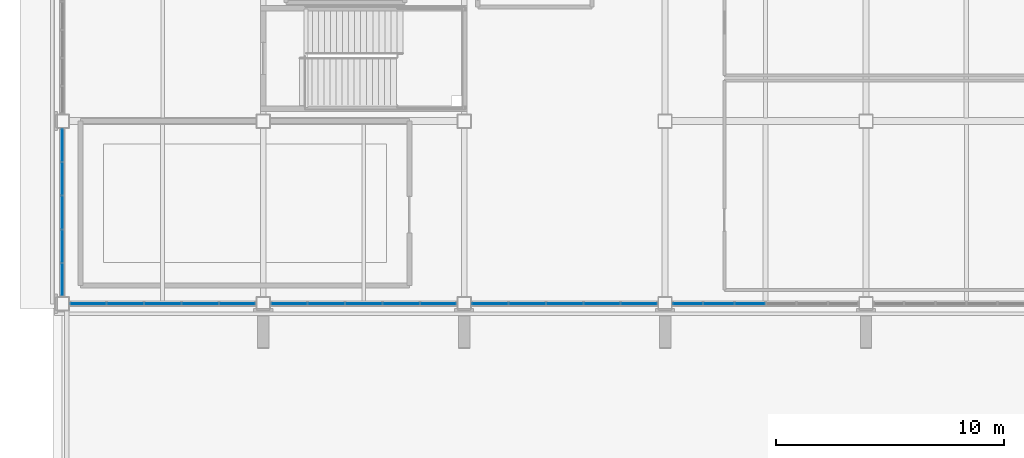
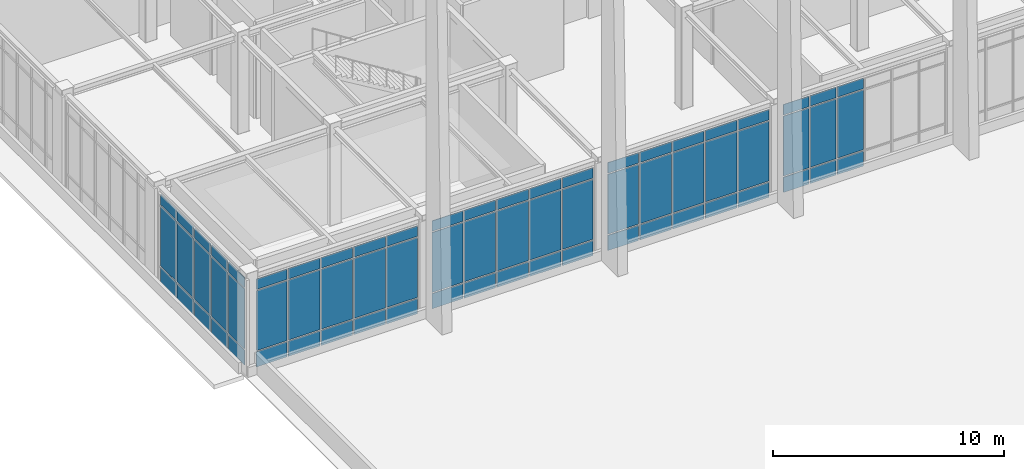
# One storey, part 58 of 108: 69 plates, 5 elements without a shape of their own.
"""IFC4 building model written with IfcOpenShell, lengths in metres."""

from ifc_helpers import new_model, si_unit, direction, frame, origin, origin_2d, place, context, subcontext, project, spatial, rectangle, extrude, material, layer, layer_set, type_object, element, aggregate, save


model = new_model("IFC4")

# Units and contexts
model_context = context("Model", 3, precision=1e-05, world=origin(), true_north=direction((0.0, 1.0)))
body_context = subcontext(model_context, "Body", "Model", "MODEL_VIEW")
ifc_project = project(units=[si_unit("LENGTHUNIT", "METRE"), si_unit("AREAUNIT", "SQUARE_METRE"), si_unit("VOLUMEUNIT", "CUBIC_METRE"), si_unit("PLANEANGLEUNIT", "RADIAN"), si_unit("MASSUNIT", "GRAM", prefix="KILO")], contexts=[model_context])

# Site, building, storey
site_placement = place(None, origin())
site = spatial("IfcSite", under=ifc_project, at=site_placement, CompositionType="ELEMENT")
building_placement = place(site_placement, origin())
building = spatial("IfcBuilding", under=site, at=building_placement, Name="Zhaolan Boulevard Law Courts", CompositionType="ELEMENT")
storey_placement = place(building_placement, frame((0.0, 0.0, 10.800048828125)))
storey = spatial("IfcBuildingStorey", under=building, at=storey_placement, Name="L02", CompositionType="ELEMENT", Elevation=10.800048828125)

# Curtain wall, plates
ifc_material_1 = material(Name="Thermally broken aluminium and low-E glazing", Category="aluminium")
curtain_wall_type_1 = type_object("IfcCurtainWallType", Name="CURTAIN WALL M7", PredefinedType="USERDEFINED", material=ifc_material_1)
curtain_wall_1_placement = place(storey_placement, origin())
curtain_wall_1 = element("IfcCurtainWall", 1, at=curtain_wall_1_placement, inside=storey, type_object=curtain_wall_type_1, Name="Curtain Wall CW-L02-151", ObjectType="CURTAIN WALL", PredefinedType="USERDEFINED")
ifc_material_2 = material(Name="Triple-silver low-E insulated glazing", Category="glass")
ifc_layer = layer(ifc_material_2, 0.028076171875)
ifc_layer_set = layer_set([ifc_layer])
plate_type = type_object("IfcPlateType", Name="CWPANEL LOW E28", PredefinedType="CURTAIN_PANEL", material=ifc_layer_set)
plate_1_placement = place(storey_placement, frame((1.137939453125, 30.0, 0.06494140625), z_axis=(0.0, 0.0, 1.0), x_axis=(1.0, 0.0, 0.0)))
plate_1 = element("IfcPlate", 2, at=plate_1_placement, type_object=plate_type, Name="CW-L02-151 panel 1.1", PredefinedType="CURTAIN_PANEL", context=body_context, shape_type="SweptSolid", body=[
    extrude(rectangle(XDim=1.541748046875, YDim=0.028076171875, at=origin_2d()), origin(), (0.0, 0.0, 1.0), 0.802490234375),
])
plate_2_placement = place(storey_placement, frame((1.137939453125, 30.0, 0.932373046875), z_axis=(0.0, 0.0, 1.0), x_axis=(1.0, 0.0, 0.0)))
plate_2 = element("IfcPlate", 3, at=plate_2_placement, type_object=plate_type, Name="CW-L02-151 panel 1.2", PredefinedType="CURTAIN_PANEL", context=body_context, shape_type="SweptSolid", body=[
    extrude(rectangle(XDim=1.541748046875, YDim=0.028076171875, at=origin_2d()), origin(), (0.0, 0.0, 1.0), 3.16796875),
])
plate_3_placement = place(storey_placement, frame((1.137939453125, 30.0, 4.16552734375), z_axis=(0.0, 0.0, 1.0), x_axis=(1.0, 0.0, 0.0)))
plate_3 = element("IfcPlate", 4, at=plate_3_placement, type_object=plate_type, Name="CW-L02-151 panel 1.3", PredefinedType="CURTAIN_PANEL", context=body_context, shape_type="SweptSolid", body=[
    extrude(rectangle(XDim=1.541748046875, YDim=0.028076171875, at=origin_2d()), origin(), (0.0, 0.0, 1.0), 0.552490234375),
])
plate_4_placement = place(storey_placement, frame((2.7607421875, 30.0, 0.06494140625), z_axis=(0.0, 0.0, 1.0), x_axis=(1.0, 0.0, 0.0)))
plate_4 = element("IfcPlate", 5, at=plate_4_placement, type_object=plate_type, Name="CW-L02-151 panel 2.1", PredefinedType="CURTAIN_PANEL", context=body_context, shape_type="SweptSolid", body=[
    extrude(rectangle(XDim=1.57421875, YDim=0.028076171875, at=origin_2d()), origin(), (0.0, 0.0, 1.0), 0.802490234375),
])
plate_5_placement = place(storey_placement, frame((2.7607421875, 30.0, 0.932373046875), z_axis=(0.0, 0.0, 1.0), x_axis=(1.0, 0.0, 0.0)))
plate_5 = element("IfcPlate", 6, at=plate_5_placement, type_object=plate_type, Name="CW-L02-151 panel 2.2", PredefinedType="CURTAIN_PANEL", context=body_context, shape_type="SweptSolid", body=[
    extrude(rectangle(XDim=1.57421875, YDim=0.028076171875, at=origin_2d()), origin(), (0.0, 0.0, 1.0), 3.16796875),
])
plate_6_placement = place(storey_placement, frame((2.7607421875, 30.0, 4.16552734375), z_axis=(0.0, 0.0, 1.0), x_axis=(1.0, 0.0, 0.0)))
plate_6 = element("IfcPlate", 7, at=plate_6_placement, type_object=plate_type, Name="CW-L02-151 panel 2.3", PredefinedType="CURTAIN_PANEL", context=body_context, shape_type="SweptSolid", body=[
    extrude(rectangle(XDim=1.57421875, YDim=0.028076171875, at=origin_2d()), origin(), (0.0, 0.0, 1.0), 0.552490234375),
])
plate_7_placement = place(storey_placement, frame((4.39990234375, 30.0, 0.06494140625), z_axis=(0.0, 0.0, 1.0), x_axis=(1.0, 0.0, 0.0)))
plate_7 = element("IfcPlate", 8, at=plate_7_placement, type_object=plate_type, Name="CW-L02-151 panel 3.1", PredefinedType="CURTAIN_PANEL", context=body_context, shape_type="SweptSolid", body=[
    extrude(rectangle(XDim=1.57421875, YDim=0.028076171875, at=origin_2d()), origin(), (0.0, 0.0, 1.0), 0.802490234375),
])
plate_8_placement = place(storey_placement, frame((4.39990234375, 30.0, 0.932373046875), z_axis=(0.0, 0.0, 1.0), x_axis=(1.0, 0.0, 0.0)))
plate_8 = element("IfcPlate", 9, at=plate_8_placement, type_object=plate_type, Name="CW-L02-151 panel 3.2", PredefinedType="CURTAIN_PANEL", context=body_context, shape_type="SweptSolid", body=[
    extrude(rectangle(XDim=1.57421875, YDim=0.028076171875, at=origin_2d()), origin(), (0.0, 0.0, 1.0), 3.16796875),
])
plate_9_placement = place(storey_placement, frame((4.39990234375, 30.0, 4.16552734375), z_axis=(0.0, 0.0, 1.0), x_axis=(1.0, 0.0, 0.0)))
plate_9 = element("IfcPlate", 10, at=plate_9_placement, type_object=plate_type, Name="CW-L02-151 panel 3.3", PredefinedType="CURTAIN_PANEL", context=body_context, shape_type="SweptSolid", body=[
    extrude(rectangle(XDim=1.57421875, YDim=0.028076171875, at=origin_2d()), origin(), (0.0, 0.0, 1.0), 0.552490234375),
])
plate_10_placement = place(storey_placement, frame((6.039306640625, 30.0, 0.06494140625), z_axis=(0.0, 0.0, 1.0), x_axis=(1.0, 0.0, 0.0)))
plate_10 = element("IfcPlate", 11, at=plate_10_placement, type_object=plate_type, Name="CW-L02-151 panel 4.1", PredefinedType="CURTAIN_PANEL", context=body_context, shape_type="SweptSolid", body=[
    extrude(rectangle(XDim=1.57421875, YDim=0.028076171875, at=origin_2d()), origin(), (0.0, 0.0, 1.0), 0.802490234375),
])
plate_11_placement = place(storey_placement, frame((6.039306640625, 30.0, 0.932373046875), z_axis=(0.0, 0.0, 1.0), x_axis=(1.0, 0.0, 0.0)))
plate_11 = element("IfcPlate", 12, at=plate_11_placement, type_object=plate_type, Name="CW-L02-151 panel 4.2", PredefinedType="CURTAIN_PANEL", context=body_context, shape_type="SweptSolid", body=[
    extrude(rectangle(XDim=1.57421875, YDim=0.028076171875, at=origin_2d()), origin(), (0.0, 0.0, 1.0), 3.16796875),
])
plate_12_placement = place(storey_placement, frame((6.039306640625, 30.0, 4.16552734375), z_axis=(0.0, 0.0, 1.0), x_axis=(1.0, 0.0, 0.0)))
plate_12 = element("IfcPlate", 13, at=plate_12_placement, type_object=plate_type, Name="CW-L02-151 panel 4.3", PredefinedType="CURTAIN_PANEL", context=body_context, shape_type="SweptSolid", body=[
    extrude(rectangle(XDim=1.57421875, YDim=0.028076171875, at=origin_2d()), origin(), (0.0, 0.0, 1.0), 0.552490234375),
])
plate_13_placement = place(storey_placement, frame((7.662109375, 30.0, 0.06494140625), z_axis=(0.0, 0.0, 1.0), x_axis=(1.0, 0.0, 0.0)))
plate_13 = element("IfcPlate", 14, at=plate_13_placement, type_object=plate_type, Name="CW-L02-151 panel 5.1", PredefinedType="CURTAIN_PANEL", context=body_context, shape_type="SweptSolid", body=[
    extrude(rectangle(XDim=1.541748046875, YDim=0.028076171875, at=origin_2d()), origin(), (0.0, 0.0, 1.0), 0.802490234375),
])
plate_14_placement = place(storey_placement, frame((7.662109375, 30.0, 0.932373046875), z_axis=(0.0, 0.0, 1.0), x_axis=(1.0, 0.0, 0.0)))
plate_14 = element("IfcPlate", 15, at=plate_14_placement, type_object=plate_type, Name="CW-L02-151 panel 5.2", PredefinedType="CURTAIN_PANEL", context=body_context, shape_type="SweptSolid", body=[
    extrude(rectangle(XDim=1.541748046875, YDim=0.028076171875, at=origin_2d()), origin(), (0.0, 0.0, 1.0), 3.16796875),
])
plate_15_placement = place(storey_placement, frame((7.662109375, 30.0, 4.16552734375), z_axis=(0.0, 0.0, 1.0), x_axis=(1.0, 0.0, 0.0)))
plate_15 = element("IfcPlate", 16, at=plate_15_placement, type_object=plate_type, Name="CW-L02-151 panel 5.3", PredefinedType="CURTAIN_PANEL", context=body_context, shape_type="SweptSolid", body=[
    extrude(rectangle(XDim=1.541748046875, YDim=0.028076171875, at=origin_2d()), origin(), (0.0, 0.0, 1.0), 0.552490234375),
])
aggregate(curtain_wall_1, [plate_1, plate_2, plate_3, plate_4, plate_5, plate_6, plate_7, plate_8, plate_9, plate_10, plate_11, plate_12, plate_13, plate_14, plate_15])

ifc_material_3 = material(Name="Thermally broken aluminium and low-E glazing", Category="aluminium")
curtain_wall_type_2 = type_object("IfcCurtainWallType", Name="CURTAIN WALL M8", PredefinedType="USERDEFINED", material=ifc_material_3)
curtain_wall_2_placement = place(storey_placement, origin())
curtain_wall_2 = element("IfcCurtainWall", 17, at=curtain_wall_2_placement, inside=storey, type_object=curtain_wall_type_2, Name="Curtain Wall CW-L02-152", ObjectType="CURTAIN WALL", PredefinedType="USERDEFINED")
plate_16_placement = place(storey_placement, frame((9.937744140625, 30.0, 0.06494140625), z_axis=(0.0, 0.0, 1.0), x_axis=(1.0, 0.0, 0.0)))
plate_16 = element("IfcPlate", 18, at=plate_16_placement, type_object=plate_type, Name="CW-L02-152 panel 1.1", PredefinedType="CURTAIN_PANEL", context=body_context, shape_type="SweptSolid", body=[
    extrude(rectangle(XDim=1.541748046875, YDim=0.028076171875, at=origin_2d()), origin(), (0.0, 0.0, 1.0), 0.802490234375),
])
plate_17_placement = place(storey_placement, frame((9.937744140625, 30.0, 0.932373046875), z_axis=(0.0, 0.0, 1.0), x_axis=(1.0, 0.0, 0.0)))
plate_17 = element("IfcPlate", 19, at=plate_17_placement, type_object=plate_type, Name="CW-L02-152 panel 1.2", PredefinedType="CURTAIN_PANEL", context=body_context, shape_type="SweptSolid", body=[
    extrude(rectangle(XDim=1.541748046875, YDim=0.028076171875, at=origin_2d()), origin(), (0.0, 0.0, 1.0), 3.16796875),
])
plate_18_placement = place(storey_placement, frame((9.937744140625, 30.0, 4.16552734375), z_axis=(0.0, 0.0, 1.0), x_axis=(1.0, 0.0, 0.0)))
plate_18 = element("IfcPlate", 20, at=plate_18_placement, type_object=plate_type, Name="CW-L02-152 panel 1.3", PredefinedType="CURTAIN_PANEL", context=body_context, shape_type="SweptSolid", body=[
    extrude(rectangle(XDim=1.541748046875, YDim=0.028076171875, at=origin_2d()), origin(), (0.0, 0.0, 1.0), 0.552490234375),
])
plate_19_placement = place(storey_placement, frame((11.560791015625, 30.0, 0.06494140625), z_axis=(0.0, 0.0, 1.0), x_axis=(1.0, 0.0, 0.0)))
plate_19 = element("IfcPlate", 21, at=plate_19_placement, type_object=plate_type, Name="CW-L02-152 panel 2.1", PredefinedType="CURTAIN_PANEL", context=body_context, shape_type="SweptSolid", body=[
    extrude(rectangle(XDim=1.57421875, YDim=0.028076171875, at=origin_2d()), origin(), (0.0, 0.0, 1.0), 0.802490234375),
])
plate_20_placement = place(storey_placement, frame((11.560791015625, 30.0, 0.932373046875), z_axis=(0.0, 0.0, 1.0), x_axis=(1.0, 0.0, 0.0)))
plate_20 = element("IfcPlate", 22, at=plate_20_placement, type_object=plate_type, Name="CW-L02-152 panel 2.2", PredefinedType="CURTAIN_PANEL", context=body_context, shape_type="SweptSolid", body=[
    extrude(rectangle(XDim=1.57421875, YDim=0.028076171875, at=origin_2d()), origin(), (0.0, 0.0, 1.0), 3.16796875),
])
plate_21_placement = place(storey_placement, frame((11.560791015625, 30.0, 4.16552734375), z_axis=(0.0, 0.0, 1.0), x_axis=(1.0, 0.0, 0.0)))
plate_21 = element("IfcPlate", 23, at=plate_21_placement, type_object=plate_type, Name="CW-L02-152 panel 2.3", PredefinedType="CURTAIN_PANEL", context=body_context, shape_type="SweptSolid", body=[
    extrude(rectangle(XDim=1.57421875, YDim=0.028076171875, at=origin_2d()), origin(), (0.0, 0.0, 1.0), 0.552490234375),
])
plate_22_placement = place(storey_placement, frame((13.199951171875, 30.0, 0.06494140625), z_axis=(0.0, 0.0, 1.0), x_axis=(1.0, 0.0, 0.0)))
plate_22 = element("IfcPlate", 24, at=plate_22_placement, type_object=plate_type, Name="CW-L02-152 panel 3.1", PredefinedType="CURTAIN_PANEL", context=body_context, shape_type="SweptSolid", body=[
    extrude(rectangle(XDim=1.57421875, YDim=0.028076171875, at=origin_2d()), origin(), (0.0, 0.0, 1.0), 0.802490234375),
])
plate_23_placement = place(storey_placement, frame((13.199951171875, 30.0, 0.932373046875), z_axis=(0.0, 0.0, 1.0), x_axis=(1.0, 0.0, 0.0)))
plate_23 = element("IfcPlate", 25, at=plate_23_placement, type_object=plate_type, Name="CW-L02-152 panel 3.2", PredefinedType="CURTAIN_PANEL", context=body_context, shape_type="SweptSolid", body=[
    extrude(rectangle(XDim=1.57421875, YDim=0.028076171875, at=origin_2d()), origin(), (0.0, 0.0, 1.0), 3.16796875),
])
plate_24_placement = place(storey_placement, frame((13.199951171875, 30.0, 4.16552734375), z_axis=(0.0, 0.0, 1.0), x_axis=(1.0, 0.0, 0.0)))
plate_24 = element("IfcPlate", 26, at=plate_24_placement, type_object=plate_type, Name="CW-L02-152 panel 3.3", PredefinedType="CURTAIN_PANEL", context=body_context, shape_type="SweptSolid", body=[
    extrude(rectangle(XDim=1.57421875, YDim=0.028076171875, at=origin_2d()), origin(), (0.0, 0.0, 1.0), 0.552490234375),
])
plate_25_placement = place(storey_placement, frame((14.839111328125, 30.0, 0.06494140625), z_axis=(0.0, 0.0, 1.0), x_axis=(1.0, 0.0, 0.0)))
plate_25 = element("IfcPlate", 27, at=plate_25_placement, type_object=plate_type, Name="CW-L02-152 panel 4.1", PredefinedType="CURTAIN_PANEL", context=body_context, shape_type="SweptSolid", body=[
    extrude(rectangle(XDim=1.57421875, YDim=0.028076171875, at=origin_2d()), origin(), (0.0, 0.0, 1.0), 0.802490234375),
])
plate_26_placement = place(storey_placement, frame((14.839111328125, 30.0, 0.932373046875), z_axis=(0.0, 0.0, 1.0), x_axis=(1.0, 0.0, 0.0)))
plate_26 = element("IfcPlate", 28, at=plate_26_placement, type_object=plate_type, Name="CW-L02-152 panel 4.2", PredefinedType="CURTAIN_PANEL", context=body_context, shape_type="SweptSolid", body=[
    extrude(rectangle(XDim=1.57421875, YDim=0.028076171875, at=origin_2d()), origin(), (0.0, 0.0, 1.0), 3.16796875),
])
plate_27_placement = place(storey_placement, frame((14.839111328125, 30.0, 4.16552734375), z_axis=(0.0, 0.0, 1.0), x_axis=(1.0, 0.0, 0.0)))
plate_27 = element("IfcPlate", 29, at=plate_27_placement, type_object=plate_type, Name="CW-L02-152 panel 4.3", PredefinedType="CURTAIN_PANEL", context=body_context, shape_type="SweptSolid", body=[
    extrude(rectangle(XDim=1.57421875, YDim=0.028076171875, at=origin_2d()), origin(), (0.0, 0.0, 1.0), 0.552490234375),
])
plate_28_placement = place(storey_placement, frame((16.462158203125, 30.0, 0.06494140625), z_axis=(0.0, 0.0, 1.0), x_axis=(1.0, 0.0, 0.0)))
plate_28 = element("IfcPlate", 30, at=plate_28_placement, type_object=plate_type, Name="CW-L02-152 panel 5.1", PredefinedType="CURTAIN_PANEL", context=body_context, shape_type="SweptSolid", body=[
    extrude(rectangle(XDim=1.541748046875, YDim=0.028076171875, at=origin_2d()), origin(), (0.0, 0.0, 1.0), 0.802490234375),
])
plate_29_placement = place(storey_placement, frame((16.462158203125, 30.0, 0.932373046875), z_axis=(0.0, 0.0, 1.0), x_axis=(1.0, 0.0, 0.0)))
plate_29 = element("IfcPlate", 31, at=plate_29_placement, type_object=plate_type, Name="CW-L02-152 panel 5.2", PredefinedType="CURTAIN_PANEL", context=body_context, shape_type="SweptSolid", body=[
    extrude(rectangle(XDim=1.541748046875, YDim=0.028076171875, at=origin_2d()), origin(), (0.0, 0.0, 1.0), 3.16796875),
])
plate_30_placement = place(storey_placement, frame((16.462158203125, 30.0, 4.16552734375), z_axis=(0.0, 0.0, 1.0), x_axis=(1.0, 0.0, 0.0)))
plate_30 = element("IfcPlate", 32, at=plate_30_placement, type_object=plate_type, Name="CW-L02-152 panel 5.3", PredefinedType="CURTAIN_PANEL", context=body_context, shape_type="SweptSolid", body=[
    extrude(rectangle(XDim=1.541748046875, YDim=0.028076171875, at=origin_2d()), origin(), (0.0, 0.0, 1.0), 0.552490234375),
])
aggregate(curtain_wall_2, [plate_16, plate_17, plate_18, plate_19, plate_20, plate_21, plate_22, plate_23, plate_24, plate_25, plate_26, plate_27, plate_28, plate_29, plate_30])

ifc_material_4 = material(Name="Thermally broken aluminium and low-E glazing", Category="aluminium")
curtain_wall_type_3 = type_object("IfcCurtainWallType", Name="CURTAIN WALL M9", PredefinedType="USERDEFINED", material=ifc_material_4)
curtain_wall_3_placement = place(storey_placement, origin())
curtain_wall_3 = element("IfcCurtainWall", 33, at=curtain_wall_3_placement, inside=storey, type_object=curtain_wall_type_3, Name="Curtain Wall CW-L02-153", ObjectType="CURTAIN WALL", PredefinedType="USERDEFINED")
plate_31_placement = place(storey_placement, frame((18.73779296875, 30.0, 0.06494140625), z_axis=(0.0, 0.0, 1.0), x_axis=(1.0, 0.0, 0.0)))
plate_31 = element("IfcPlate", 34, at=plate_31_placement, type_object=plate_type, Name="CW-L02-153 panel 1.1", PredefinedType="CURTAIN_PANEL", context=body_context, shape_type="SweptSolid", body=[
    extrude(rectangle(XDim=1.541748046875, YDim=0.028076171875, at=origin_2d()), origin(), (0.0, 0.0, 1.0), 0.802490234375),
])
plate_32_placement = place(storey_placement, frame((18.73779296875, 30.0, 0.932373046875), z_axis=(0.0, 0.0, 1.0), x_axis=(1.0, 0.0, 0.0)))
plate_32 = element("IfcPlate", 35, at=plate_32_placement, type_object=plate_type, Name="CW-L02-153 panel 1.2", PredefinedType="CURTAIN_PANEL", context=body_context, shape_type="SweptSolid", body=[
    extrude(rectangle(XDim=1.541748046875, YDim=0.028076171875, at=origin_2d()), origin(), (0.0, 0.0, 1.0), 3.16796875),
])
plate_33_placement = place(storey_placement, frame((18.73779296875, 30.0, 4.16552734375), z_axis=(0.0, 0.0, 1.0), x_axis=(1.0, 0.0, 0.0)))
plate_33 = element("IfcPlate", 36, at=plate_33_placement, type_object=plate_type, Name="CW-L02-153 panel 1.3", PredefinedType="CURTAIN_PANEL", context=body_context, shape_type="SweptSolid", body=[
    extrude(rectangle(XDim=1.541748046875, YDim=0.028076171875, at=origin_2d()), origin(), (0.0, 0.0, 1.0), 0.552490234375),
])
plate_34_placement = place(storey_placement, frame((20.36083984375, 30.0, 0.06494140625), z_axis=(0.0, 0.0, 1.0), x_axis=(1.0, 0.0, 0.0)))
plate_34 = element("IfcPlate", 37, at=plate_34_placement, type_object=plate_type, Name="CW-L02-153 panel 2.1", PredefinedType="CURTAIN_PANEL", context=body_context, shape_type="SweptSolid", body=[
    extrude(rectangle(XDim=1.57421875, YDim=0.028076171875, at=origin_2d()), origin(), (0.0, 0.0, 1.0), 0.802490234375),
])
plate_35_placement = place(storey_placement, frame((20.36083984375, 30.0, 0.932373046875), z_axis=(0.0, 0.0, 1.0), x_axis=(1.0, 0.0, 0.0)))
plate_35 = element("IfcPlate", 38, at=plate_35_placement, type_object=plate_type, Name="CW-L02-153 panel 2.2", PredefinedType="CURTAIN_PANEL", context=body_context, shape_type="SweptSolid", body=[
    extrude(rectangle(XDim=1.57421875, YDim=0.028076171875, at=origin_2d()), origin(), (0.0, 0.0, 1.0), 3.16796875),
])
plate_36_placement = place(storey_placement, frame((20.36083984375, 30.0, 4.16552734375), z_axis=(0.0, 0.0, 1.0), x_axis=(1.0, 0.0, 0.0)))
plate_36 = element("IfcPlate", 39, at=plate_36_placement, type_object=plate_type, Name="CW-L02-153 panel 2.3", PredefinedType="CURTAIN_PANEL", context=body_context, shape_type="SweptSolid", body=[
    extrude(rectangle(XDim=1.57421875, YDim=0.028076171875, at=origin_2d()), origin(), (0.0, 0.0, 1.0), 0.552490234375),
])
plate_37_placement = place(storey_placement, frame((22.0, 30.0, 0.06494140625), z_axis=(0.0, 0.0, 1.0), x_axis=(1.0, 0.0, 0.0)))
plate_37 = element("IfcPlate", 40, at=plate_37_placement, type_object=plate_type, Name="CW-L02-153 panel 3.1", PredefinedType="CURTAIN_PANEL", context=body_context, shape_type="SweptSolid", body=[
    extrude(rectangle(XDim=1.57421875, YDim=0.028076171875, at=origin_2d()), origin(), (0.0, 0.0, 1.0), 0.802490234375),
])
plate_38_placement = place(storey_placement, frame((22.0, 30.0, 0.932373046875), z_axis=(0.0, 0.0, 1.0), x_axis=(1.0, 0.0, 0.0)))
plate_38 = element("IfcPlate", 41, at=plate_38_placement, type_object=plate_type, Name="CW-L02-153 panel 3.2", PredefinedType="CURTAIN_PANEL", context=body_context, shape_type="SweptSolid", body=[
    extrude(rectangle(XDim=1.57421875, YDim=0.028076171875, at=origin_2d()), origin(), (0.0, 0.0, 1.0), 3.16796875),
])
plate_39_placement = place(storey_placement, frame((22.0, 30.0, 4.16552734375), z_axis=(0.0, 0.0, 1.0), x_axis=(1.0, 0.0, 0.0)))
plate_39 = element("IfcPlate", 42, at=plate_39_placement, type_object=plate_type, Name="CW-L02-153 panel 3.3", PredefinedType="CURTAIN_PANEL", context=body_context, shape_type="SweptSolid", body=[
    extrude(rectangle(XDim=1.57421875, YDim=0.028076171875, at=origin_2d()), origin(), (0.0, 0.0, 1.0), 0.552490234375),
])
plate_40_placement = place(storey_placement, frame((23.63916015625, 30.0, 0.06494140625), z_axis=(0.0, 0.0, 1.0), x_axis=(1.0, 0.0, 0.0)))
plate_40 = element("IfcPlate", 43, at=plate_40_placement, type_object=plate_type, Name="CW-L02-153 panel 4.1", PredefinedType="CURTAIN_PANEL", context=body_context, shape_type="SweptSolid", body=[
    extrude(rectangle(XDim=1.57421875, YDim=0.028076171875, at=origin_2d()), origin(), (0.0, 0.0, 1.0), 0.802490234375),
])
plate_41_placement = place(storey_placement, frame((23.63916015625, 30.0, 0.932373046875), z_axis=(0.0, 0.0, 1.0), x_axis=(1.0, 0.0, 0.0)))
plate_41 = element("IfcPlate", 44, at=plate_41_placement, type_object=plate_type, Name="CW-L02-153 panel 4.2", PredefinedType="CURTAIN_PANEL", context=body_context, shape_type="SweptSolid", body=[
    extrude(rectangle(XDim=1.57421875, YDim=0.028076171875, at=origin_2d()), origin(), (0.0, 0.0, 1.0), 3.16796875),
])
plate_42_placement = place(storey_placement, frame((23.63916015625, 30.0, 4.16552734375), z_axis=(0.0, 0.0, 1.0), x_axis=(1.0, 0.0, 0.0)))
plate_42 = element("IfcPlate", 45, at=plate_42_placement, type_object=plate_type, Name="CW-L02-153 panel 4.3", PredefinedType="CURTAIN_PANEL", context=body_context, shape_type="SweptSolid", body=[
    extrude(rectangle(XDim=1.57421875, YDim=0.028076171875, at=origin_2d()), origin(), (0.0, 0.0, 1.0), 0.552490234375),
])
plate_43_placement = place(storey_placement, frame((25.26220703125, 30.0, 0.06494140625), z_axis=(0.0, 0.0, 1.0), x_axis=(1.0, 0.0, 0.0)))
plate_43 = element("IfcPlate", 46, at=plate_43_placement, type_object=plate_type, Name="CW-L02-153 panel 5.1", PredefinedType="CURTAIN_PANEL", context=body_context, shape_type="SweptSolid", body=[
    extrude(rectangle(XDim=1.541748046875, YDim=0.028076171875, at=origin_2d()), origin(), (0.0, 0.0, 1.0), 0.802490234375),
])
plate_44_placement = place(storey_placement, frame((25.26220703125, 30.0, 0.932373046875), z_axis=(0.0, 0.0, 1.0), x_axis=(1.0, 0.0, 0.0)))
plate_44 = element("IfcPlate", 47, at=plate_44_placement, type_object=plate_type, Name="CW-L02-153 panel 5.2", PredefinedType="CURTAIN_PANEL", context=body_context, shape_type="SweptSolid", body=[
    extrude(rectangle(XDim=1.541748046875, YDim=0.028076171875, at=origin_2d()), origin(), (0.0, 0.0, 1.0), 3.16796875),
])
plate_45_placement = place(storey_placement, frame((25.26220703125, 30.0, 4.16552734375), z_axis=(0.0, 0.0, 1.0), x_axis=(1.0, 0.0, 0.0)))
plate_45 = element("IfcPlate", 48, at=plate_45_placement, type_object=plate_type, Name="CW-L02-153 panel 5.3", PredefinedType="CURTAIN_PANEL", context=body_context, shape_type="SweptSolid", body=[
    extrude(rectangle(XDim=1.541748046875, YDim=0.028076171875, at=origin_2d()), origin(), (0.0, 0.0, 1.0), 0.552490234375),
])
aggregate(curtain_wall_3, [plate_31, plate_32, plate_33, plate_34, plate_35, plate_36, plate_37, plate_38, plate_39, plate_40, plate_41, plate_42, plate_43, plate_44, plate_45])

ifc_material_5 = material(Name="Thermally broken aluminium and low-E glazing", Category="aluminium")
curtain_wall_type_4 = type_object("IfcCurtainWallType", Name="CURTAIN WALL M10", PredefinedType="USERDEFINED", material=ifc_material_5)
curtain_wall_4_placement = place(storey_placement, origin())
curtain_wall_4 = element("IfcCurtainWall", 49, at=curtain_wall_4_placement, inside=storey, type_object=curtain_wall_type_4, Name="Curtain Wall CW-L02-154", ObjectType="CURTAIN WALL", PredefinedType="USERDEFINED")
plate_46_placement = place(storey_placement, frame((27.4013671875, 30.0, 0.06494140625), z_axis=(0.0, 0.0, 1.0), x_axis=(1.0, 0.0, 0.0)))
plate_46 = element("IfcPlate", 50, at=plate_46_placement, type_object=plate_type, Name="CW-L02-154 panel 1.1", PredefinedType="CURTAIN_PANEL", context=body_context, shape_type="SweptSolid", body=[
    extrude(rectangle(XDim=1.2685546875, YDim=0.028076171875, at=origin_2d()), origin(), (0.0, 0.0, 1.0), 0.802490234375),
])
plate_47_placement = place(storey_placement, frame((27.4013671875, 30.0, 0.932373046875), z_axis=(0.0, 0.0, 1.0), x_axis=(1.0, 0.0, 0.0)))
plate_47 = element("IfcPlate", 51, at=plate_47_placement, type_object=plate_type, Name="CW-L02-154 panel 1.2", PredefinedType="CURTAIN_PANEL", context=body_context, shape_type="SweptSolid", body=[
    extrude(rectangle(XDim=1.2685546875, YDim=0.028076171875, at=origin_2d()), origin(), (0.0, 0.0, 1.0), 3.16796875),
])
plate_48_placement = place(storey_placement, frame((27.4013671875, 30.0, 4.16552734375), z_axis=(0.0, 0.0, 1.0), x_axis=(1.0, 0.0, 0.0)))
plate_48 = element("IfcPlate", 52, at=plate_48_placement, type_object=plate_type, Name="CW-L02-154 panel 1.3", PredefinedType="CURTAIN_PANEL", context=body_context, shape_type="SweptSolid", body=[
    extrude(rectangle(XDim=1.2685546875, YDim=0.028076171875, at=origin_2d()), origin(), (0.0, 0.0, 1.0), 0.552490234375),
])
plate_49_placement = place(storey_placement, frame((28.7509765625, 30.0, 0.06494140625), z_axis=(0.0, 0.0, 1.0), x_axis=(1.0, 0.0, 0.0)))
plate_49 = element("IfcPlate", 53, at=plate_49_placement, type_object=plate_type, Name="CW-L02-154 panel 2.1", PredefinedType="CURTAIN_PANEL", context=body_context, shape_type="SweptSolid", body=[
    extrude(rectangle(XDim=1.301025390625, YDim=0.028076171875, at=origin_2d()), origin(), (0.0, 0.0, 1.0), 0.802490234375),
])
plate_50_placement = place(storey_placement, frame((28.7509765625, 30.0, 0.932373046875), z_axis=(0.0, 0.0, 1.0), x_axis=(1.0, 0.0, 0.0)))
plate_50 = element("IfcPlate", 54, at=plate_50_placement, type_object=plate_type, Name="CW-L02-154 panel 2.2", PredefinedType="CURTAIN_PANEL", context=body_context, shape_type="SweptSolid", body=[
    extrude(rectangle(XDim=1.301025390625, YDim=0.028076171875, at=origin_2d()), origin(), (0.0, 0.0, 1.0), 3.16796875),
])
plate_51_placement = place(storey_placement, frame((28.7509765625, 30.0, 4.16552734375), z_axis=(0.0, 0.0, 1.0), x_axis=(1.0, 0.0, 0.0)))
plate_51 = element("IfcPlate", 55, at=plate_51_placement, type_object=plate_type, Name="CW-L02-154 panel 2.3", PredefinedType="CURTAIN_PANEL", context=body_context, shape_type="SweptSolid", body=[
    extrude(rectangle(XDim=1.301025390625, YDim=0.028076171875, at=origin_2d()), origin(), (0.0, 0.0, 1.0), 0.552490234375),
])
plate_52_placement = place(storey_placement, frame((30.116943359375, 30.0, 0.06494140625), z_axis=(0.0, 0.0, 1.0), x_axis=(1.0, 0.0, 0.0)))
plate_52 = element("IfcPlate", 56, at=plate_52_placement, type_object=plate_type, Name="CW-L02-154 panel 3.1", PredefinedType="CURTAIN_PANEL", context=body_context, shape_type="SweptSolid", body=[
    extrude(rectangle(XDim=1.301025390625, YDim=0.028076171875, at=origin_2d()), origin(), (0.0, 0.0, 1.0), 0.802490234375),
])
plate_53_placement = place(storey_placement, frame((30.116943359375, 30.0, 0.932373046875), z_axis=(0.0, 0.0, 1.0), x_axis=(1.0, 0.0, 0.0)))
plate_53 = element("IfcPlate", 57, at=plate_53_placement, type_object=plate_type, Name="CW-L02-154 panel 3.2", PredefinedType="CURTAIN_PANEL", context=body_context, shape_type="SweptSolid", body=[
    extrude(rectangle(XDim=1.301025390625, YDim=0.028076171875, at=origin_2d()), origin(), (0.0, 0.0, 1.0), 3.16796875),
])
plate_54_placement = place(storey_placement, frame((30.116943359375, 30.0, 4.16552734375), z_axis=(0.0, 0.0, 1.0), x_axis=(1.0, 0.0, 0.0)))
plate_54 = element("IfcPlate", 58, at=plate_54_placement, type_object=plate_type, Name="CW-L02-154 panel 3.3", PredefinedType="CURTAIN_PANEL", context=body_context, shape_type="SweptSolid", body=[
    extrude(rectangle(XDim=1.301025390625, YDim=0.028076171875, at=origin_2d()), origin(), (0.0, 0.0, 1.0), 0.552490234375),
])
aggregate(curtain_wall_4, [plate_46, plate_47, plate_48, plate_49, plate_50, plate_51, plate_52, plate_53, plate_54])

ifc_material_6 = material(Name="Thermally broken aluminium and low-E glazing", Category="aluminium")
curtain_wall_type_5 = type_object("IfcCurtainWallType", Name="CURTAIN WALL M12", PredefinedType="USERDEFINED", material=ifc_material_6)
curtain_wall_5_placement = place(storey_placement, origin())
curtain_wall_5 = element("IfcCurtainWall", 59, at=curtain_wall_5_placement, inside=storey, type_object=curtain_wall_type_5, Name="Curtain Wall CW-L02-156", ObjectType="CURTAIN WALL", PredefinedType="USERDEFINED")
plate_55_placement = place(storey_placement, frame((0.0, 36.942138671875, 0.06494140625), z_axis=(0.0, 0.0, 1.0), x_axis=(0.0, -1.0, 0.0)))
plate_55 = element("IfcPlate", 60, at=plate_55_placement, type_object=plate_type, Name="CW-L02-156 panel 1.1", PredefinedType="CURTAIN_PANEL", context=body_context, shape_type="SweptSolid", body=[
    extrude(rectangle(XDim=1.381591796875, YDim=0.028076171875, at=origin_2d()), origin(), (0.0, 0.0, 1.0), 0.802490234375),
])
plate_56_placement = place(storey_placement, frame((0.0, 36.942138671875, 0.932373046875), z_axis=(0.0, 0.0, 1.0), x_axis=(0.0, -1.0, 0.0)))
plate_56 = element("IfcPlate", 61, at=plate_56_placement, type_object=plate_type, Name="CW-L02-156 panel 1.2", PredefinedType="CURTAIN_PANEL", context=body_context, shape_type="SweptSolid", body=[
    extrude(rectangle(XDim=1.381591796875, YDim=0.028076171875, at=origin_2d()), origin(), (0.0, 0.0, 1.0), 3.16796875),
])
plate_57_placement = place(storey_placement, frame((0.0, 36.942138671875, 4.16552734375), z_axis=(0.0, 0.0, 1.0), x_axis=(0.0, -1.0, 0.0)))
plate_57 = element("IfcPlate", 62, at=plate_57_placement, type_object=plate_type, Name="CW-L02-156 panel 1.3", PredefinedType="CURTAIN_PANEL", context=body_context, shape_type="SweptSolid", body=[
    extrude(rectangle(XDim=1.381591796875, YDim=0.028076171875, at=origin_2d()), origin(), (0.0, 0.0, 1.0), 0.552490234375),
])
plate_58_placement = place(storey_placement, frame((0.0, 35.479248046875, 0.06494140625), z_axis=(0.0, 0.0, 1.0), x_axis=(0.0, -1.0, 0.0)))
plate_58 = element("IfcPlate", 63, at=plate_58_placement, type_object=plate_type, Name="CW-L02-156 panel 2.1", PredefinedType="CURTAIN_PANEL", context=body_context, shape_type="SweptSolid", body=[
    extrude(rectangle(XDim=1.414306640625, YDim=0.028076171875, at=origin_2d()), origin(), (0.0, 0.0, 1.0), 0.802490234375),
])
plate_59_placement = place(storey_placement, frame((0.0, 35.479248046875, 0.932373046875), z_axis=(0.0, 0.0, 1.0), x_axis=(0.0, -1.0, 0.0)))
plate_59 = element("IfcPlate", 64, at=plate_59_placement, type_object=plate_type, Name="CW-L02-156 panel 2.2", PredefinedType="CURTAIN_PANEL", context=body_context, shape_type="SweptSolid", body=[
    extrude(rectangle(XDim=1.414306640625, YDim=0.028076171875, at=origin_2d()), origin(), (0.0, 0.0, 1.0), 3.16796875),
])
plate_60_placement = place(storey_placement, frame((0.0, 35.479248046875, 4.16552734375), z_axis=(0.0, 0.0, 1.0), x_axis=(0.0, -1.0, 0.0)))
plate_60 = element("IfcPlate", 65, at=plate_60_placement, type_object=plate_type, Name="CW-L02-156 panel 2.3", PredefinedType="CURTAIN_PANEL", context=body_context, shape_type="SweptSolid", body=[
    extrude(rectangle(XDim=1.414306640625, YDim=0.028076171875, at=origin_2d()), origin(), (0.0, 0.0, 1.0), 0.552490234375),
])
plate_61_placement = place(storey_placement, frame((0.0, 34.0, 0.06494140625), z_axis=(0.0, 0.0, 1.0), x_axis=(0.0, -1.0, 0.0)))
plate_61 = element("IfcPlate", 66, at=plate_61_placement, type_object=plate_type, Name="CW-L02-156 panel 3.1", PredefinedType="CURTAIN_PANEL", context=body_context, shape_type="SweptSolid", body=[
    extrude(rectangle(XDim=1.414306640625, YDim=0.028076171875, at=origin_2d()), origin(), (0.0, 0.0, 1.0), 0.802490234375),
])
plate_62_placement = place(storey_placement, frame((0.0, 34.0, 0.932373046875), z_axis=(0.0, 0.0, 1.0), x_axis=(0.0, -1.0, 0.0)))
plate_62 = element("IfcPlate", 67, at=plate_62_placement, type_object=plate_type, Name="CW-L02-156 panel 3.2", PredefinedType="CURTAIN_PANEL", context=body_context, shape_type="SweptSolid", body=[
    extrude(rectangle(XDim=1.414306640625, YDim=0.028076171875, at=origin_2d()), origin(), (0.0, 0.0, 1.0), 3.16796875),
])
plate_63_placement = place(storey_placement, frame((0.0, 34.0, 4.16552734375), z_axis=(0.0, 0.0, 1.0), x_axis=(0.0, -1.0, 0.0)))
plate_63 = element("IfcPlate", 68, at=plate_63_placement, type_object=plate_type, Name="CW-L02-156 panel 3.3", PredefinedType="CURTAIN_PANEL", context=body_context, shape_type="SweptSolid", body=[
    extrude(rectangle(XDim=1.414306640625, YDim=0.028076171875, at=origin_2d()), origin(), (0.0, 0.0, 1.0), 0.552490234375),
])
plate_64_placement = place(storey_placement, frame((0.0, 32.520751953125, 0.06494140625), z_axis=(0.0, 0.0, 1.0), x_axis=(0.0, -1.0, 0.0)))
plate_64 = element("IfcPlate", 69, at=plate_64_placement, type_object=plate_type, Name="CW-L02-156 panel 4.1", PredefinedType="CURTAIN_PANEL", context=body_context, shape_type="SweptSolid", body=[
    extrude(rectangle(XDim=1.414306640625, YDim=0.028076171875, at=origin_2d()), origin(), (0.0, 0.0, 1.0), 0.802490234375),
])
plate_65_placement = place(storey_placement, frame((0.0, 32.520751953125, 0.932373046875), z_axis=(0.0, 0.0, 1.0), x_axis=(0.0, -1.0, 0.0)))
plate_65 = element("IfcPlate", 70, at=plate_65_placement, type_object=plate_type, Name="CW-L02-156 panel 4.2", PredefinedType="CURTAIN_PANEL", context=body_context, shape_type="SweptSolid", body=[
    extrude(rectangle(XDim=1.414306640625, YDim=0.028076171875, at=origin_2d()), origin(), (0.0, 0.0, 1.0), 3.16796875),
])
plate_66_placement = place(storey_placement, frame((0.0, 32.520751953125, 4.16552734375), z_axis=(0.0, 0.0, 1.0), x_axis=(0.0, -1.0, 0.0)))
plate_66 = element("IfcPlate", 71, at=plate_66_placement, type_object=plate_type, Name="CW-L02-156 panel 4.3", PredefinedType="CURTAIN_PANEL", context=body_context, shape_type="SweptSolid", body=[
    extrude(rectangle(XDim=1.414306640625, YDim=0.028076171875, at=origin_2d()), origin(), (0.0, 0.0, 1.0), 0.552490234375),
])
plate_67_placement = place(storey_placement, frame((0.0, 31.057861328125, 0.06494140625), z_axis=(0.0, 0.0, 1.0), x_axis=(0.0, -1.0, 0.0)))
plate_67 = element("IfcPlate", 72, at=plate_67_placement, type_object=plate_type, Name="CW-L02-156 panel 5.1", PredefinedType="CURTAIN_PANEL", context=body_context, shape_type="SweptSolid", body=[
    extrude(rectangle(XDim=1.381591796875, YDim=0.028076171875, at=origin_2d()), origin(), (0.0, 0.0, 1.0), 0.802490234375),
])
plate_68_placement = place(storey_placement, frame((0.0, 31.057861328125, 0.932373046875), z_axis=(0.0, 0.0, 1.0), x_axis=(0.0, -1.0, 0.0)))
plate_68 = element("IfcPlate", 73, at=plate_68_placement, type_object=plate_type, Name="CW-L02-156 panel 5.2", PredefinedType="CURTAIN_PANEL", context=body_context, shape_type="SweptSolid", body=[
    extrude(rectangle(XDim=1.381591796875, YDim=0.028076171875, at=origin_2d()), origin(), (0.0, 0.0, 1.0), 3.16796875),
])
plate_69_placement = place(storey_placement, frame((0.0, 31.057861328125, 4.16552734375), z_axis=(0.0, 0.0, 1.0), x_axis=(0.0, -1.0, 0.0)))
plate_69 = element("IfcPlate", 74, at=plate_69_placement, type_object=plate_type, Name="CW-L02-156 panel 5.3", PredefinedType="CURTAIN_PANEL", context=body_context, shape_type="SweptSolid", body=[
    extrude(rectangle(XDim=1.381591796875, YDim=0.028076171875, at=origin_2d()), origin(), (0.0, 0.0, 1.0), 0.552490234375),
])
aggregate(curtain_wall_5, [plate_55, plate_56, plate_57, plate_58, plate_59, plate_60, plate_61, plate_62, plate_63, plate_64, plate_65, plate_66, plate_67, plate_68, plate_69])

save(model, "model.ifc")
